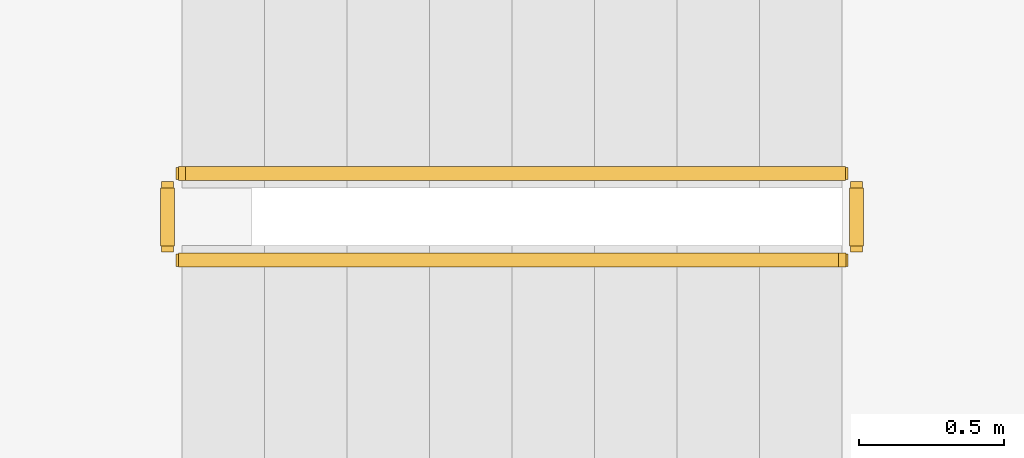
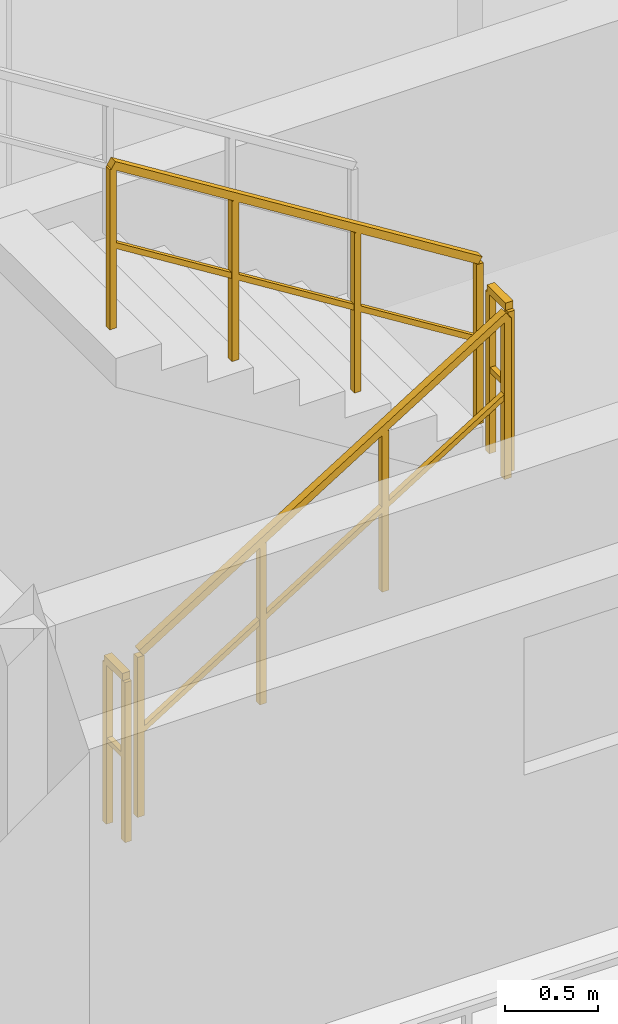
# One storey, part 63 of 73: 4 railings.
"""IFC4 building model written with IfcOpenShell, lengths in metres."""

from ifc_helpers import new_model, si_unit, direction, frame, origin, origin_2d, place, context, subcontext, project, spatial, rectangle, extrude, material, type_object, element, save


model = new_model("IFC4")

# Units and contexts
model_context = context("Model", 3, precision=1e-05, world=origin(), true_north=direction((0.0, 1.0)))
body_context = subcontext(model_context, "Body", "Model", "MODEL_VIEW")
ifc_project = project(units=[si_unit("LENGTHUNIT", "METRE"), si_unit("AREAUNIT", "SQUARE_METRE"), si_unit("VOLUMEUNIT", "CUBIC_METRE"), si_unit("PLANEANGLEUNIT", "RADIAN"), si_unit("MASSUNIT", "GRAM", prefix="KILO")], contexts=[model_context])

# Site, building, storey
site_placement = place(None, origin())
site = spatial("IfcSite", under=ifc_project, at=site_placement, CompositionType="ELEMENT")
building_placement = place(site_placement, origin())
building = spatial("IfcBuilding", under=site, at=building_placement, Name="Suanplinth Sawtooth Commons", CompositionType="ELEMENT")
storey_placement = place(building_placement, frame((0.0, 0.0, 21.89990234375)))
storey = spatial("IfcBuildingStorey", under=building, at=storey_placement, Name="L06", CompositionType="ELEMENT", Elevation=21.89990234375)

# Railings
ifc_material = material(Name="Stainless steel Grade 304", Category="steel")
railing_type = type_object("IfcRailingType", Name="GR-04", PredefinedType="GUARDRAIL", material=ifc_material)
railing_1_placement = place(storey_placement, frame((45.050048828125, 109.85009765625, 0.177978515625)))
element("IfcRailing", 1, at=railing_1_placement, inside=storey, type_object=railing_type, Name="L06 ST-N1 Guard 1", PredefinedType="GUARDRAIL", context=body_context, shape_type="SweptSolid", body=[
    extrude(rectangle(XDim=0.048095703125, YDim=0.048095703125, at=origin_2d()), frame((0.0, 0.0, 1.076171875), z_axis=(0.848482842525, 0.0, 0.529222888715), x_axis=(0.0, 1.0, 0.0)), (0.0, 0.0, 1.0), 2.687255859375),
    extrude(rectangle(XDim=0.03369140625, YDim=0.03369140625, at=origin_2d()), frame((0.0, 0.0, 0.550048828125), z_axis=(0.848482842525, 0.0, 0.529222888715), x_axis=(0.0, 1.0, 0.0)), (0.0, 0.0, 1.0), 2.687255859375),
    extrude(rectangle(XDim=0.0419921875, YDim=0.0419921875, at=origin_2d()), origin(), (0.0, 0.0, 1.0), 1.052001953125),
    extrude(rectangle(XDim=0.0419921875, YDim=0.0419921875, at=origin_2d()), frame((0.760009765625, 0.0, 0.47412109375)), (0.0, 0.0, 1.0), 1.052001953125),
    extrude(rectangle(XDim=0.0419921875, YDim=0.0419921875, at=origin_2d()), frame((1.52001953125, 0.0, 0.947998046875)), (0.0, 0.0, 1.0), 1.052001953125),
    extrude(rectangle(XDim=0.0419921875, YDim=0.0419921875, at=origin_2d()), frame((2.280029296875, 0.0, 1.422119140625)), (0.0, 0.0, 1.0), 1.052001953125),
])
railing_2_placement = place(storey_placement, frame((47.3798828125, 109.89990234375, 1.60009765625)))
element("IfcRailing", 2, at=railing_2_placement, inside=storey, type_object=railing_type, Name="L06 ST-N1 Guard 2", PredefinedType="GUARDRAIL", context=body_context, shape_type="SweptSolid", body=[
    extrude(rectangle(XDim=0.048095703125, YDim=0.048095703125, at=origin_2d()), frame((0.0, 0.0, 1.076171875), z_axis=(0.0, 1.0, 0.0), x_axis=(-1.0, 0.0, 0.0)), (0.0, 0.0, 1.0), 0.2001953125),
    extrude(rectangle(XDim=0.03369140625, YDim=0.03369140625, at=origin_2d()), frame((0.0, 0.0, 0.550048828125), z_axis=(0.0, 1.0, 0.0), x_axis=(-1.0, 0.0, 0.0)), (0.0, 0.0, 1.0), 0.2001953125),
    extrude(rectangle(XDim=0.0419921875, YDim=0.0419921875, at=origin_2d()), origin(), (0.0, 0.0, 1.0), 1.052001953125),
    extrude(rectangle(XDim=0.0419921875, YDim=0.0419921875, at=origin_2d()), frame((0.0, 0.2001953125, 0.0)), (0.0, 0.0, 1.0), 1.052001953125),
])
railing_3_placement = place(storey_placement, frame((47.330078125, 110.14990234375, 1.77783203125)))
element("IfcRailing", 3, at=railing_3_placement, inside=storey, type_object=railing_type, Name="L06 ST-N1 Guard 3", PredefinedType="GUARDRAIL", context=body_context, shape_type="SweptSolid", body=[
    extrude(rectangle(XDim=0.048095703125, YDim=0.048095703125, at=origin_2d()), frame((0.0, 0.0, 1.076171875), z_axis=(-0.848442045328, 0.0, 0.529288291689), x_axis=(0.0, -1.0, 0.0)), (0.0, 0.0, 1.0), 2.687255859375),
    extrude(rectangle(XDim=0.03369140625, YDim=0.03369140625, at=origin_2d()), frame((0.0, 0.0, 0.550048828125), z_axis=(-0.848442045328, 0.0, 0.529288291689), x_axis=(0.0, -1.0, 0.0)), (0.0, 0.0, 1.0), 2.687255859375),
    extrude(rectangle(XDim=0.0419921875, YDim=0.0419921875, at=origin_2d()), origin(), (0.0, 0.0, 1.0), 1.052001953125),
    extrude(rectangle(XDim=0.0419921875, YDim=0.0419921875, at=origin_2d()), frame((-0.760009765625, 0.0, 0.47412109375)), (0.0, 0.0, 1.0), 1.052001953125),
    extrude(rectangle(XDim=0.0419921875, YDim=0.0419921875, at=origin_2d()), frame((-1.52001953125, 0.0, 0.9482421875)), (0.0, 0.0, 1.0), 1.052001953125),
    extrude(rectangle(XDim=0.0419921875, YDim=0.0419921875, at=origin_2d()), frame((-2.280029296875, 0.0, 1.42236328125)), (0.0, 0.0, 1.0), 1.052001953125),
])
railing_4_placement = place(storey_placement, frame((45.0, 109.89990234375, 0.0)))
element("IfcRailing", 4, at=railing_4_placement, inside=storey, type_object=railing_type, Name="L06 ST-N1 Guard 4", PredefinedType="GUARDRAIL", context=body_context, shape_type="SweptSolid", body=[
    extrude(rectangle(XDim=0.048095703125, YDim=0.048095703125, at=origin_2d()), frame((0.0, 0.0, 1.076171875), z_axis=(0.0, 1.0, 0.0), x_axis=(-1.0, 0.0, 0.0)), (0.0, 0.0, 1.0), 0.2001953125),
    extrude(rectangle(XDim=0.03369140625, YDim=0.03369140625, at=origin_2d()), frame((0.0, 0.0, 0.550048828125), z_axis=(0.0, 1.0, 0.0), x_axis=(-1.0, 0.0, 0.0)), (0.0, 0.0, 1.0), 0.2001953125),
    extrude(rectangle(XDim=0.0419921875, YDim=0.0419921875, at=origin_2d()), origin(), (0.0, 0.0, 1.0), 1.052001953125),
    extrude(rectangle(XDim=0.0419921875, YDim=0.0419921875, at=origin_2d()), frame((0.0, 0.2001953125, 0.0)), (0.0, 0.0, 1.0), 1.052001953125),
])

save(model, "model.ifc")
